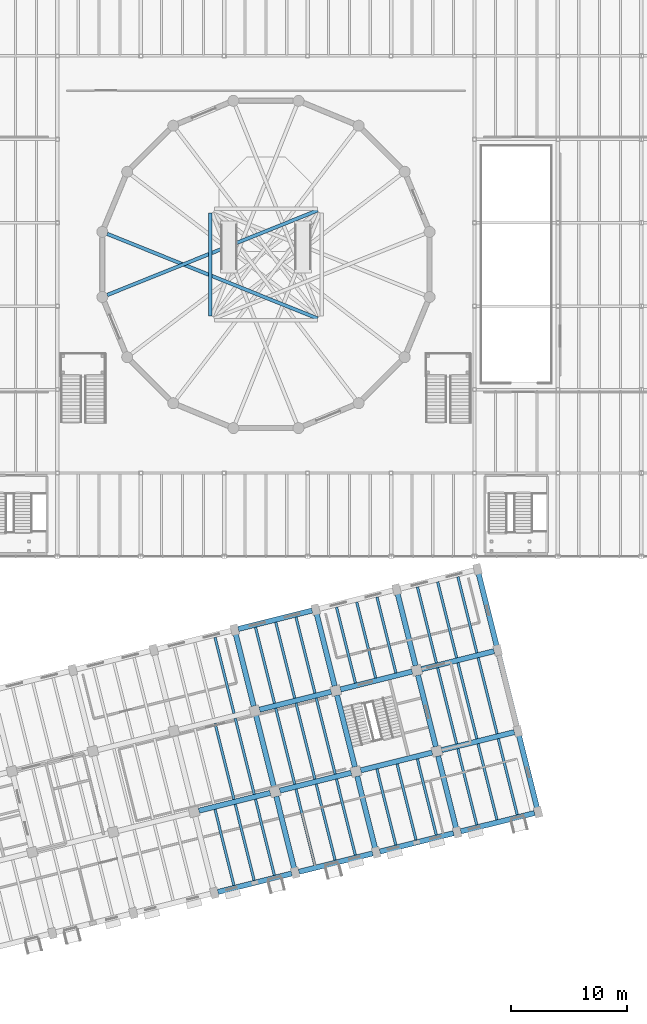
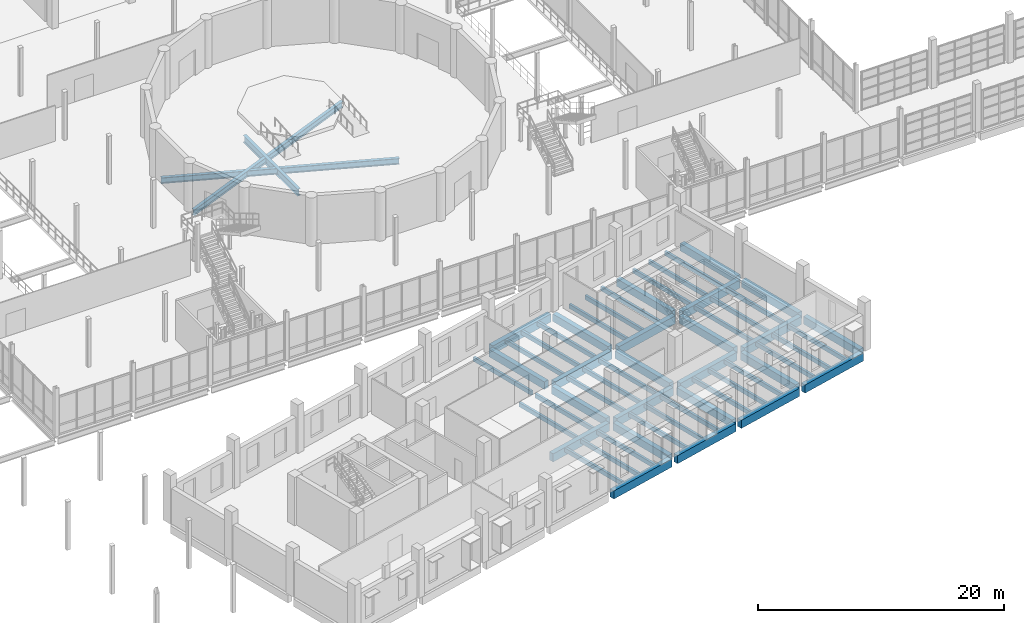
# One storey, part 24 of 77: 57 beams.
"""IFC4 building model written with IfcOpenShell, lengths in metres."""

from ifc_helpers import new_model, si_unit, direction, frame, origin, origin_2d, place, context, subcontext, project, spatial, rectangle, i_section, extrude, material, material_profile, profile_set, type_object, element, save


model = new_model("IFC4")

# Units and contexts
model_context = context("Model", 3, precision=1e-05, world=origin(), true_north=direction((0.0, 1.0)))
body_context = subcontext(model_context, "Body", "Model", "MODEL_VIEW")
ifc_project = project(units=[si_unit("LENGTHUNIT", "METRE"), si_unit("AREAUNIT", "SQUARE_METRE"), si_unit("VOLUMEUNIT", "CUBIC_METRE"), si_unit("PLANEANGLEUNIT", "RADIAN"), si_unit("MASSUNIT", "GRAM", prefix="KILO")], contexts=[model_context])

# Site, building, storey
site_placement = place(None, origin())
site = spatial("IfcSite", under=ifc_project, at=site_placement, CompositionType="ELEMENT")
building_placement = place(site_placement, origin())
building = spatial("IfcBuilding", under=site, at=building_placement, Name="Qiaolan Assembly House", CompositionType="ELEMENT")
storey_placement = place(building_placement, frame((0.0, 0.0, 5.39990234375)))
storey = spatial("IfcBuildingStorey", under=building, at=storey_placement, Name="L01", CompositionType="ELEMENT", Elevation=5.39990234375)

# Beams
ifc_material_1 = material(Name="Concrete C40/50", Category="concrete")
ifc_material_profile_1 = material_profile(ifc_material_1, rectangle(XDim=0.449951171875, YDim=0.75, at=origin_2d()), Name="RCB 450x750")
ifc_profile_set_1 = profile_set([ifc_material_profile_1], Name="Concrete C40/50")
beam_type_1 = type_object("IfcBeamType", Name="BM-RC-450x750", PredefinedType="BEAM", material=ifc_profile_set_1)
beam_1_placement = place(storey_placement, frame((70.8544921875, 9.014892578125, -0.625), z_axis=(-0.241914070503, 0.970297677258, 0.0), x_axis=(-0.970297677258, -0.241914070503, 0.0)))
element("IfcBeam", 1, at=beam_1_placement, inside=storey, type_object=beam_type_1, Name="GB-04 beam BMV-SE-L01-05-00", PredefinedType="BEAM", context=body_context, shape_type="SweptSolid", body=[
    extrude(rectangle(XDim=0.449951171875, YDim=0.75, at=origin_2d()), origin(), (0.0, 0.0, 1.0), 6.469970703125),
])
beam_2_placement = place(storey_placement, frame((69.08837890625, 16.097900390625, -0.625), z_axis=(-0.241913342219, 0.970297858833, 0.0), x_axis=(-0.970297858833, -0.241913342219, 0.0)))
element("IfcBeam", 2, at=beam_2_placement, inside=storey, type_object=beam_type_1, Name="GB-04 beam BMV-SE-L01-05-01", PredefinedType="BEAM", context=body_context, shape_type="SweptSolid", body=[
    extrude(rectangle(XDim=0.449951171875, YDim=0.75, at=origin_2d()), origin(), (0.0, 0.0, 1.0), 6.3701171875),
])
beam_3_placement = place(storey_placement, frame((67.3466796875, 23.084228515625, -0.625), z_axis=(-0.241958454692, 0.970286610339, 0.0), x_axis=(-0.970286610339, -0.241958454692, 0.0)))
element("IfcBeam", 3, at=beam_3_placement, inside=storey, type_object=beam_type_1, Name="GB-04 beam BMV-SE-L01-05-02", PredefinedType="BEAM", context=body_context, shape_type="SweptSolid", body=[
    extrude(rectangle(XDim=0.449951171875, YDim=0.75, at=origin_2d()), origin(), (0.0, 0.0, 1.0), 6.4697265625),
])
beam_4_placement = place(storey_placement, frame((77.840576171875, 10.756591796875, -0.625), z_axis=(-0.241914070503, 0.970297677258, 0.0), x_axis=(-0.970297677258, -0.241914070503, 0.0)))
element("IfcBeam", 4, at=beam_4_placement, inside=storey, type_object=beam_type_1, Name="GB-04 beam BMV-SE-L01-06-00", PredefinedType="BEAM", context=body_context, shape_type="SweptSolid", body=[
    extrude(rectangle(XDim=0.449951171875, YDim=0.75, at=origin_2d()), origin(), (0.0, 0.0, 1.0), 6.469970703125),
])
beam_5_placement = place(storey_placement, frame((76.074462890625, 17.83984375, -0.625), z_axis=(-0.241922338715, 0.970295615795, 0.0), x_axis=(-0.970295615795, -0.241922338715, 0.0)))
element("IfcBeam", 5, at=beam_5_placement, inside=storey, type_object=beam_type_1, Name="GB-04 beam BMV-SE-L01-06-01", PredefinedType="BEAM", context=body_context, shape_type="SweptSolid", body=[
    extrude(rectangle(XDim=0.449951171875, YDim=0.75, at=origin_2d()), origin(), (0.0, 0.0, 1.0), 6.369873046875),
])
for number, where, z_axis, x_axis, name in (
    (6, (74.332763671875, 24.825927734375, -0.625), (-0.241914070503, 0.970297677258, 0.0), (-0.970297677258, -0.241914070503, 0.0), "GB-04 beam BMV-SE-L01-06-02"),
    (7, (84.82666015625, 12.49853515625, -0.625), (-0.241914070503, 0.970297677258, 0.0), (-0.970297677258, -0.241914070503, 0.0), "GB-04 beam BMV-SE-L01-07-00"),
):
    element("IfcBeam", number, at=place(storey_placement, frame(where, z_axis=z_axis, x_axis=x_axis)), inside=storey, type_object=beam_type_1, Name=name, PredefinedType="BEAM", context=body_context, shape_type="SweptSolid", body=[
        extrude(rectangle(XDim=0.449951171875, YDim=0.75, at=origin_2d()), origin(), (0.0, 0.0, 1.0), 6.469970703125),
    ])
beam_6_placement = place(storey_placement, frame((83.060791015625, 19.581787109375, -0.625), z_axis=(-0.241958422416, 0.970286618388, 0.0), x_axis=(-0.970286618388, -0.241958422416, 0.0)))
element("IfcBeam", 8, at=beam_6_placement, inside=storey, type_object=beam_type_1, Name="GB-04 beam BMV-SE-L01-07-01", PredefinedType="BEAM", context=body_context, shape_type="SweptSolid", body=[
    extrude(rectangle(XDim=0.449951171875, YDim=0.75, at=origin_2d()), origin(), (0.0, 0.0, 1.0), 6.369873046875),
])
beam_7_placement = place(storey_placement, frame((81.31884765625, 26.56787109375, -0.625), z_axis=(-0.241914070503, 0.970297677258, 0.0), x_axis=(-0.970297677258, -0.241914070503, 0.0)))
element("IfcBeam", 9, at=beam_7_placement, inside=storey, type_object=beam_type_1, Name="GB-04 beam BMV-SE-L01-07-02", PredefinedType="BEAM", context=body_context, shape_type="SweptSolid", body=[
    extrude(rectangle(XDim=0.449951171875, YDim=0.75, at=origin_2d()), origin(), (0.0, 0.0, 1.0), 6.469970703125),
])
for number, where, z_axis, x_axis, name in (
    (10, (91.812744140625, 14.240234375, -0.625), (-0.241906054289, 0.970299675821, 0.0), (-0.970299675821, -0.241906054289, 0.0), "GB-04 beam BMV-SE-L01-08-00"),
    (11, (90.071044921875, 21.2265625, -0.625), (-0.241949761922, 0.970288777997, 0.0), (-0.970288777997, -0.241949761922, 0.0), "GB-04 beam BMV-SE-L01-08-01"),
):
    element("IfcBeam", number, at=place(storey_placement, frame(where, z_axis=z_axis, x_axis=x_axis)), inside=storey, type_object=beam_type_1, Name=name, PredefinedType="BEAM", context=body_context, shape_type="SweptSolid", body=[
        extrude(rectangle(XDim=0.449951171875, YDim=0.75, at=origin_2d()), origin(), (0.0, 0.0, 1.0), 6.570068359375),
    ])
beam_8_placement = place(storey_placement, frame((88.3291015625, 28.212646484375, -0.625), z_axis=(-0.24191477664, 0.970297501204, 0.0), x_axis=(-0.970297501204, -0.24191477664, 0.0)))
element("IfcBeam", 12, at=beam_8_placement, inside=storey, type_object=beam_type_1, Name="GB-04 beam BMV-SE-L01-08-02", PredefinedType="BEAM", context=body_context, shape_type="SweptSolid", body=[
    extrude(rectangle(XDim=0.449951171875, YDim=0.75, at=origin_2d()), origin(), (0.0, 0.0, 1.0), 6.56982421875),
])
ifc_material_profile_2 = material_profile(ifc_material_1, rectangle(XDim=0.449951171875, YDim=0.800048828125, at=origin_2d()), Name="RCB 450x800")
ifc_profile_set_2 = profile_set([ifc_material_profile_2], Name="Concrete C40/50")
beam_type_2 = type_object("IfcBeamType", Name="BM-RC-450x800", PredefinedType="BEAM", material=ifc_profile_set_2)
beam_9_placement = place(storey_placement, frame((64.250244140625, 7.04345703125, -0.64990234375), z_axis=(0.970288777997, 0.241949761922, 0.0), x_axis=(-0.241949761922, 0.970288777997, 0.0)))
element("IfcBeam", 13, at=beam_9_placement, inside=storey, type_object=beam_type_2, Name="GB-03 beam BMU-SE-L01-04-00", PredefinedType="BEAM", context=body_context, shape_type="SweptSolid", body=[
    extrude(rectangle(XDim=0.449951171875, YDim=0.800048828125, at=origin_2d()), origin(), (0.0, 0.0, 1.0), 6.570068359375),
])
for number, where, z_axis, x_axis, name in (
    (14, (71.236328125, 8.785400390625, -0.64990234375), (0.970297501204, 0.24191477664, 0.0), (-0.24191477664, 0.970297501204, 0.0), "GB-03 beam BMU-SE-L01-05-00"),
    (15, (78.222412109375, 10.52734375, -0.64990234375), (0.970297501204, 0.24191477664, 0.0), (-0.24191477664, 0.970297501204, 0.0), "GB-03 beam BMU-SE-L01-06-00"),
):
    element("IfcBeam", number, at=place(storey_placement, frame(where, z_axis=z_axis, x_axis=x_axis)), inside=storey, type_object=beam_type_2, Name=name, PredefinedType="BEAM", context=body_context, shape_type="SweptSolid", body=[
        extrude(rectangle(XDim=0.449951171875, YDim=0.800048828125, at=origin_2d()), origin(), (0.0, 0.0, 1.0), 6.56982421875),
    ])
beam_10_placement = place(storey_placement, frame((85.20849609375, 12.26904296875, -0.64990234375), z_axis=(0.970299675821, 0.241906054289, 0.0), x_axis=(-0.241906054289, 0.970299675821, 0.0)))
element("IfcBeam", 16, at=beam_10_placement, inside=storey, type_object=beam_type_2, Name="GB-03 beam BMU-SE-L01-07-00", PredefinedType="BEAM", context=body_context, shape_type="SweptSolid", body=[
    extrude(rectangle(XDim=0.449951171875, YDim=0.800048828125, at=origin_2d()), origin(), (0.0, 0.0, 1.0), 6.570068359375),
])
for number, where, z_axis, x_axis, name in (
    (17, (62.60546875, 14.053955078125, -0.64990234375), (0.970295615795, 0.241922338715, 0.0), (-0.241922338715, 0.970295615795, 0.0), "GB-03 beam BMU-SE-L01-04-01"),
    (18, (69.591552734375, 15.795654296875, -0.64990234375), (0.970295615795, 0.241922338715, 0.0), (-0.241922338715, 0.970295615795, 0.0), "GB-03 beam BMU-SE-L01-05-01"),
    (19, (76.57763671875, 17.53759765625, -0.64990234375), (0.970295615795, 0.241922338715, 0.0), (-0.241922338715, 0.970295615795, 0.0), "GB-03 beam BMU-SE-L01-06-01"),
):
    element("IfcBeam", number, at=place(storey_placement, frame(where, z_axis=z_axis, x_axis=x_axis)), inside=storey, type_object=beam_type_2, Name=name, PredefinedType="BEAM", context=body_context, shape_type="SweptSolid", body=[
        extrude(rectangle(XDim=0.449951171875, YDim=0.800048828125, at=origin_2d()), origin(), (0.0, 0.0, 1.0), 6.369873046875),
    ])
beam_11_placement = place(storey_placement, frame((83.563720703125, 19.279296875, -0.64990234375), z_axis=(0.970288819386, 0.241949595936, 0.0), x_axis=(-0.241949595936, 0.970288819386, 0.0)))
element("IfcBeam", 20, at=beam_11_placement, inside=storey, type_object=beam_type_2, Name="GB-03 beam BMU-SE-L01-07-01", PredefinedType="BEAM", context=body_context, shape_type="SweptSolid", body=[
    extrude(rectangle(XDim=0.449951171875, YDim=0.800048828125, at=origin_2d()), origin(), (0.0, 0.0, 1.0), 6.469970703125),
])
for number, where, z_axis, x_axis, name in (
    (21, (67.849609375, 22.78173828125, -0.64990234375), (0.970288862074, 0.241949424745, 0.0), (-0.241949424745, 0.970288862074, 0.0), "GB-03 beam BMU-SE-L01-05-02"),
    (22, (74.835693359375, 24.523681640625, -0.64990234375), (0.970297858833, 0.241913342219, 0.0), (-0.241913342219, 0.970297858833, 0.0), "GB-03 beam BMU-SE-L01-06-02"),
):
    element("IfcBeam", number, at=place(storey_placement, frame(where, z_axis=z_axis, x_axis=x_axis)), inside=storey, type_object=beam_type_2, Name=name, PredefinedType="BEAM", context=body_context, shape_type="SweptSolid", body=[
        extrude(rectangle(XDim=0.449951171875, YDim=0.800048828125, at=origin_2d()), origin(), (0.0, 0.0, 1.0), 6.3701171875),
    ])
beam_12_placement = place(storey_placement, frame((81.822021484375, 26.265625, -0.64990234375), z_axis=(0.970295468839, 0.241922928119, 0.0), x_axis=(-0.241922928119, 0.970295468839, 0.0)))
element("IfcBeam", 23, at=beam_12_placement, inside=storey, type_object=beam_type_2, Name="GB-03 beam BMU-SE-L01-07-02", PredefinedType="BEAM", context=body_context, shape_type="SweptSolid", body=[
    extrude(rectangle(XDim=0.449951171875, YDim=0.800048828125, at=origin_2d()), origin(), (0.0, 0.0, 1.0), 6.4697265625),
])
beam_13_placement = place(storey_placement, frame((66.0107421875, 29.743896484375, -0.64990234375), z_axis=(0.970297501204, 0.24191477664, 0.0), x_axis=(-0.24191477664, 0.970297501204, 0.0)))
element("IfcBeam", 24, at=beam_13_placement, inside=storey, type_object=beam_type_2, Name="GB-03 beam BMU-SE-L01-05-03", PredefinedType="BEAM", context=body_context, shape_type="SweptSolid", body=[
    extrude(rectangle(XDim=0.449951171875, YDim=0.800048828125, at=origin_2d()), origin(), (0.0, 0.0, 1.0), 6.56982421875),
])
ifc_material_2 = material(Name="Steel Q355B", Category="steel")
ifc_material_profile_3 = material_profile(ifc_material_2, i_section(OverallWidth=0.300048828125, OverallDepth=0.587890625, WebThickness=0.011962890625, FlangeThickness=0.02001953125, FilletRadius=0.02197265625, at=origin_2d()), Name="HM 588x300x12x20")
ifc_profile_set_3 = profile_set([ifc_material_profile_3], Name="Steel Q355B")
beam_type_3 = type_object("IfcBeamType", Name="BM-STL-HM588", PredefinedType="BEAM", material=ifc_profile_set_3)
beam_14_placement = place(storey_placement, frame((72.861328125, 56.5361328125, -0.598876953125), z_axis=(-0.927797041005, 0.373085312901, 0.0), x_axis=(-0.373085312901, -0.927797041005, 0.0)))
element("IfcBeam", 25, at=beam_14_placement, inside=storey, type_object=beam_type_3, Name="SB-02 beam BM-UC-RAD-07", PredefinedType="BEAM", context=body_context, shape_type="SweptSolid", body=[
    extrude(i_section(OverallWidth=0.300048828125, OverallDepth=0.587890625, WebThickness=0.011962890625, FlangeThickness=0.02001953125, FilletRadius=0.02197265625, at=origin_2d()), origin(), (0.0, 0.0, 1.0), 19.566162109375),
])
beam_15_placement = place(storey_placement, frame((72.861328125, 65.86376953125, -0.598876953125), z_axis=(-0.927801360111, -0.37307457187, 0.0), x_axis=(0.37307457187, -0.927801360111, 0.0)))
element("IfcBeam", 26, at=beam_15_placement, inside=storey, type_object=beam_type_3, Name="SB-02 beam BM-UC-RAD-08", PredefinedType="BEAM", context=body_context, shape_type="SweptSolid", body=[
    extrude(i_section(OverallWidth=0.300048828125, OverallDepth=0.587890625, WebThickness=0.011962890625, FlangeThickness=0.02001953125, FilletRadius=0.02197265625, at=origin_2d()), origin(), (0.0, 0.0, 1.0), 19.56591796875),
])
ifc_material_profile_4 = material_profile(ifc_material_2, i_section(OverallWidth=0.300048828125, OverallDepth=0.699951171875, WebThickness=0.012939453125, FlangeThickness=0.02392578125, FilletRadius=0.02392578125, at=origin_2d()), Name="HN 700x300x13x24")
ifc_profile_set_4 = profile_set([ifc_material_profile_4], Name="Steel Q355B")
beam_type_4 = type_object("IfcBeamType", Name="BM-STL-HN700", PredefinedType="BEAM", material=ifc_profile_set_4)
beam_16_placement = place(storey_placement, frame((63.60009765625, 65.635009765625, -0.65478515625), z_axis=(0.0, -1.0, 0.0), x_axis=(1.0, 0.0, 0.0)))
element("IfcBeam", 27, at=beam_16_placement, inside=storey, type_object=beam_type_4, Name="SB-01 beam BM-UC-RING-03", PredefinedType="BEAM", context=body_context, shape_type="SweptSolid", body=[
    extrude(i_section(OverallWidth=0.300048828125, OverallDepth=0.699951171875, WebThickness=0.012939453125, FlangeThickness=0.02392578125, FilletRadius=0.02392578125, at=origin_2d()), origin(), (0.0, 0.0, 1.0), 8.8701171875),
])
ifc_material_profile_5 = material_profile(ifc_material_1, rectangle(XDim=0.219970703125, YDim=0.419921875, at=origin_2d()), Name="RCB 220x420")
ifc_profile_set_5 = profile_set([ifc_material_profile_5], Name="Concrete C40/50")
beam_type_5 = type_object("IfcBeamType", Name="JST-RC-220x420", PredefinedType="JOIST", material=ifc_profile_set_5)
beam_17_placement = place(storey_placement, frame((65.63818359375, 7.615234375, -0.4599609375), z_axis=(-0.241932430168, 0.970293099652, 0.0), x_axis=(-0.970293099652, -0.241932430168, 0.0)))
element("IfcBeam", 28, at=beam_17_placement, inside=storey, type_object=beam_type_5, Name="RJ-03 beam JST-SE-L01-04-00-1", PredefinedType="JOIST", context=body_context, shape_type="SweptSolid", body=[
    extrude(rectangle(XDim=0.219970703125, YDim=0.419921875, at=origin_2d()), origin(), (0.0, 0.0, 1.0), 6.76220703125),
])
for number, where, z_axis, x_axis, name in (
    (29, (67.384521484375, 8.05078125, -0.4599609375), (-0.241906913479, 0.970299461615, 0.0), (-0.970299461615, -0.241906913479, 0.0), "RJ-03 beam JST-SE-L01-04-00-2"),
    (30, (69.131103515625, 8.486328125, -0.4599609375), (-0.241906913479, 0.970299461615, 0.0), (-0.970299461615, -0.241906913479, 0.0), "RJ-03 beam JST-SE-L01-04-00-3"),
):
    element("IfcBeam", number, at=place(storey_placement, frame(where, z_axis=z_axis, x_axis=x_axis)), inside=storey, type_object=beam_type_5, Name=name, PredefinedType="JOIST", context=body_context, shape_type="SweptSolid", body=[
        extrude(rectangle(XDim=0.219970703125, YDim=0.419921875, at=origin_2d()), origin(), (0.0, 0.0, 1.0), 6.761962890625),
    ])
beam_18_placement = place(storey_placement, frame((65.642822265625, 15.036865234375, -0.4599609375), z_axis=(-0.241932430168, 0.970293099652, 0.0), x_axis=(-0.970293099652, -0.241932430168, 0.0)))
element("IfcBeam", 31, at=beam_18_placement, inside=storey, type_object=beam_type_5, Name="RJ-03 beam JST-SE-L01-04-01-2", PredefinedType="JOIST", context=body_context, shape_type="SweptSolid", body=[
    extrude(rectangle(XDim=0.219970703125, YDim=0.419921875, at=origin_2d()), origin(), (0.0, 0.0, 1.0), 6.76220703125),
])
for number, where, z_axis, x_axis, name in (
    (32, (67.389404296875, 15.472412109375, -0.4599609375), (-0.241940905686, 0.970290986331, 0.0), (-0.970290986331, -0.241940905686, 0.0), "RJ-03 beam JST-SE-L01-04-01-3"),
    (33, (65.6474609375, 22.45849609375, -0.4599609375), (-0.241940905686, 0.970290986331, 0.0), (-0.970290986331, -0.241940905686, 0.0), "RJ-03 beam JST-SE-L01-04-02-3"),
    (34, (72.624267578125, 9.357177734375, -0.4599609375), (-0.241940905686, 0.970290986331, 0.0), (-0.970290986331, -0.241940905686, 0.0), "RJ-03 beam JST-SE-L01-05-00-1"),
):
    element("IfcBeam", number, at=place(storey_placement, frame(where, z_axis=z_axis, x_axis=x_axis)), inside=storey, type_object=beam_type_5, Name=name, PredefinedType="JOIST", context=body_context, shape_type="SweptSolid", body=[
        extrude(rectangle(XDim=0.219970703125, YDim=0.419921875, at=origin_2d()), origin(), (0.0, 0.0, 1.0), 6.761962890625),
    ])
for number, where, z_axis, x_axis, name in (
    (35, (74.370849609375, 9.79248046875, -0.4599609375), (-0.241932430168, 0.970293099652, 0.0), (-0.970293099652, -0.241932430168, 0.0), "RJ-03 beam JST-SE-L01-05-00-2"),
    (36, (76.1171875, 10.22802734375, -0.4599609375), (-0.241898439004, 0.970301574361, 0.0), (-0.970301574361, -0.241898439004, 0.0), "RJ-03 beam JST-SE-L01-05-00-3"),
):
    element("IfcBeam", number, at=place(storey_placement, frame(where, z_axis=z_axis, x_axis=x_axis)), inside=storey, type_object=beam_type_5, Name=name, PredefinedType="JOIST", context=body_context, shape_type="SweptSolid", body=[
        extrude(rectangle(XDim=0.219970703125, YDim=0.419921875, at=origin_2d()), origin(), (0.0, 0.0, 1.0), 6.76220703125),
    ])
for number, where, z_axis, x_axis, name in (
    (37, (70.88232421875, 16.34326171875, -0.4599609375), (-0.241906913479, 0.970299461615, 0.0), (-0.970299461615, -0.241906913479, 0.0), "RJ-03 beam JST-SE-L01-05-01-1"),
    (38, (72.62890625, 16.77880859375, -0.4599609375), (-0.241940905686, 0.970290986331, 0.0), (-0.970290986331, -0.241940905686, 0.0), "RJ-03 beam JST-SE-L01-05-01-2"),
):
    element("IfcBeam", number, at=place(storey_placement, frame(where, z_axis=z_axis, x_axis=x_axis)), inside=storey, type_object=beam_type_5, Name=name, PredefinedType="JOIST", context=body_context, shape_type="SweptSolid", body=[
        extrude(rectangle(XDim=0.219970703125, YDim=0.419921875, at=origin_2d()), origin(), (0.0, 0.0, 1.0), 6.761962890625),
    ])
for number, where, z_axis, x_axis, name in (
    (39, (74.37548828125, 17.214111328125, -0.4599609375), (-0.241932430168, 0.970293099652, 0.0), (-0.970293099652, -0.241932430168, 0.0), "RJ-03 beam JST-SE-L01-05-01-3"),
    (40, (69.140625, 23.329345703125, -0.4599609375), (-0.241932430168, 0.970293099652, 0.0), (-0.970293099652, -0.241932430168, 0.0), "RJ-03 beam JST-SE-L01-05-02-1"),
):
    element("IfcBeam", number, at=place(storey_placement, frame(where, z_axis=z_axis, x_axis=x_axis)), inside=storey, type_object=beam_type_5, Name=name, PredefinedType="JOIST", context=body_context, shape_type="SweptSolid", body=[
        extrude(rectangle(XDim=0.219970703125, YDim=0.419921875, at=origin_2d()), origin(), (0.0, 0.0, 1.0), 6.76220703125),
    ])
for number, where, z_axis, x_axis, name in (
    (41, (70.886962890625, 23.764892578125, -0.4599609375), (-0.241906913479, 0.970299461615, 0.0), (-0.970299461615, -0.241906913479, 0.0), "RJ-03 beam JST-SE-L01-05-02-2"),
    (42, (72.633544921875, 24.200439453125, -0.4599609375), (-0.241906913479, 0.970299461615, 0.0), (-0.970299461615, -0.241906913479, 0.0), "RJ-03 beam JST-SE-L01-05-02-3"),
):
    element("IfcBeam", number, at=place(storey_placement, frame(where, z_axis=z_axis, x_axis=x_axis)), inside=storey, type_object=beam_type_5, Name=name, PredefinedType="JOIST", context=body_context, shape_type="SweptSolid", body=[
        extrude(rectangle(XDim=0.219970703125, YDim=0.419921875, at=origin_2d()), origin(), (0.0, 0.0, 1.0), 6.761962890625),
    ])
beam_19_placement = place(storey_placement, frame((79.6103515625, 11.098876953125, -0.4599609375), z_axis=(-0.241932430168, 0.970293099652, 0.0), x_axis=(-0.970293099652, -0.241932430168, 0.0)))
element("IfcBeam", 43, at=beam_19_placement, inside=storey, type_object=beam_type_5, Name="RJ-03 beam JST-SE-L01-06-00-1", PredefinedType="JOIST", context=body_context, shape_type="SweptSolid", body=[
    extrude(rectangle(XDim=0.219970703125, YDim=0.419921875, at=origin_2d()), origin(), (0.0, 0.0, 1.0), 6.76220703125),
])
for number, where, z_axis, x_axis, name in (
    (44, (81.35693359375, 11.534423828125, -0.4599609375), (-0.241940905686, 0.970290986331, 0.0), (-0.970290986331, -0.241940905686, 0.0), "RJ-03 beam JST-SE-L01-06-00-2"),
    (45, (83.103271484375, 11.969970703125, -0.4599609375), (-0.241906913479, 0.970299461615, 0.0), (-0.970299461615, -0.241906913479, 0.0), "RJ-03 beam JST-SE-L01-06-00-3"),
    (46, (76.126708984375, 25.0712890625, -0.4599609375), (-0.241940905686, 0.970290986331, 0.0), (-0.970290986331, -0.241940905686, 0.0), "RJ-03 beam JST-SE-L01-06-02-1"),
):
    element("IfcBeam", number, at=place(storey_placement, frame(where, z_axis=z_axis, x_axis=x_axis)), inside=storey, type_object=beam_type_5, Name=name, PredefinedType="JOIST", context=body_context, shape_type="SweptSolid", body=[
        extrude(rectangle(XDim=0.219970703125, YDim=0.419921875, at=origin_2d()), origin(), (0.0, 0.0, 1.0), 6.761962890625),
    ])
for number, where, z_axis, x_axis, name in (
    (47, (77.873291015625, 25.506591796875, -0.4599609375), (-0.241932430168, 0.970293099652, 0.0), (-0.970293099652, -0.241932430168, 0.0), "RJ-03 beam JST-SE-L01-06-02-2"),
    (48, (79.61962890625, 25.942138671875, -0.4599609375), (-0.241898439004, 0.970301574361, 0.0), (-0.970301574361, -0.241898439004, 0.0), "RJ-03 beam JST-SE-L01-06-02-3"),
):
    element("IfcBeam", number, at=place(storey_placement, frame(where, z_axis=z_axis, x_axis=x_axis)), inside=storey, type_object=beam_type_5, Name=name, PredefinedType="JOIST", context=body_context, shape_type="SweptSolid", body=[
        extrude(rectangle(XDim=0.219970703125, YDim=0.419921875, at=origin_2d()), origin(), (0.0, 0.0, 1.0), 6.76220703125),
    ])
for number, where, z_axis, x_axis, name in (
    (49, (86.596435546875, 12.8408203125, -0.4599609375), (-0.241906913479, 0.970299461615, 0.0), (-0.970299461615, -0.241906913479, 0.0), "RJ-03 beam JST-SE-L01-07-00-1"),
    (50, (88.343017578125, 13.2763671875, -0.4599609375), (-0.241940905686, 0.970290986331, 0.0), (-0.970290986331, -0.241940905686, 0.0), "RJ-03 beam JST-SE-L01-07-00-2"),
):
    element("IfcBeam", number, at=place(storey_placement, frame(where, z_axis=z_axis, x_axis=x_axis)), inside=storey, type_object=beam_type_5, Name=name, PredefinedType="JOIST", context=body_context, shape_type="SweptSolid", body=[
        extrude(rectangle(XDim=0.219970703125, YDim=0.419921875, at=origin_2d()), origin(), (0.0, 0.0, 1.0), 6.761962890625),
    ])
for number, where, z_axis, x_axis, name in (
    (51, (90.089599609375, 13.711669921875, -0.4599609375), (-0.241932430168, 0.970293099652, 0.0), (-0.970293099652, -0.241932430168, 0.0), "RJ-03 beam JST-SE-L01-07-00-3"),
    (52, (84.854736328125, 19.826904296875, -0.4599609375), (-0.241932430168, 0.970293099652, 0.0), (-0.970293099652, -0.241932430168, 0.0), "RJ-03 beam JST-SE-L01-07-01-1"),
):
    element("IfcBeam", number, at=place(storey_placement, frame(where, z_axis=z_axis, x_axis=x_axis)), inside=storey, type_object=beam_type_5, Name=name, PredefinedType="JOIST", context=body_context, shape_type="SweptSolid", body=[
        extrude(rectangle(XDim=0.219970703125, YDim=0.419921875, at=origin_2d()), origin(), (0.0, 0.0, 1.0), 6.76220703125),
    ])
beam_20_placement = place(storey_placement, frame((86.60107421875, 20.262451171875, -0.4599609375), z_axis=(-0.241906913479, 0.970299461615, 0.0), x_axis=(-0.970299461615, -0.241906913479, 0.0)))
element("IfcBeam", 53, at=beam_20_placement, inside=storey, type_object=beam_type_5, Name="RJ-03 beam JST-SE-L01-07-01-2", PredefinedType="JOIST", context=body_context, shape_type="SweptSolid", body=[
    extrude(rectangle(XDim=0.219970703125, YDim=0.419921875, at=origin_2d()), origin(), (0.0, 0.0, 1.0), 6.761962890625),
])
for number, where, z_axis, x_axis, name in (
    (54, (88.34765625, 20.69775390625, -0.4599609375), (-0.241898439004, 0.970301574361, 0.0), (-0.970301574361, -0.241898439004, 0.0), "RJ-03 beam JST-SE-L01-07-01-3"),
    (55, (83.11279296875, 26.81298828125, -0.4599609375), (-0.241932430168, 0.970293099652, 0.0), (-0.970293099652, -0.241932430168, 0.0), "RJ-03 beam JST-SE-L01-07-02-1"),
):
    element("IfcBeam", number, at=place(storey_placement, frame(where, z_axis=z_axis, x_axis=x_axis)), inside=storey, type_object=beam_type_5, Name=name, PredefinedType="JOIST", context=body_context, shape_type="SweptSolid", body=[
        extrude(rectangle(XDim=0.219970703125, YDim=0.419921875, at=origin_2d()), origin(), (0.0, 0.0, 1.0), 6.76220703125),
    ])
for number, where, z_axis, x_axis, name in (
    (56, (84.859375, 27.24853515625, -0.4599609375), (-0.241940905686, 0.970290986331, 0.0), (-0.970290986331, -0.241940905686, 0.0), "RJ-03 beam JST-SE-L01-07-02-2"),
    (57, (86.60595703125, 27.68408203125, -0.4599609375), (-0.241940905686, 0.970290986331, 0.0), (-0.970290986331, -0.241940905686, 0.0), "RJ-03 beam JST-SE-L01-07-02-3"),
):
    element("IfcBeam", number, at=place(storey_placement, frame(where, z_axis=z_axis, x_axis=x_axis)), inside=storey, type_object=beam_type_5, Name=name, PredefinedType="JOIST", context=body_context, shape_type="SweptSolid", body=[
        extrude(rectangle(XDim=0.219970703125, YDim=0.419921875, at=origin_2d()), origin(), (0.0, 0.0, 1.0), 6.761962890625),
    ])

save(model, "model.ifc")
